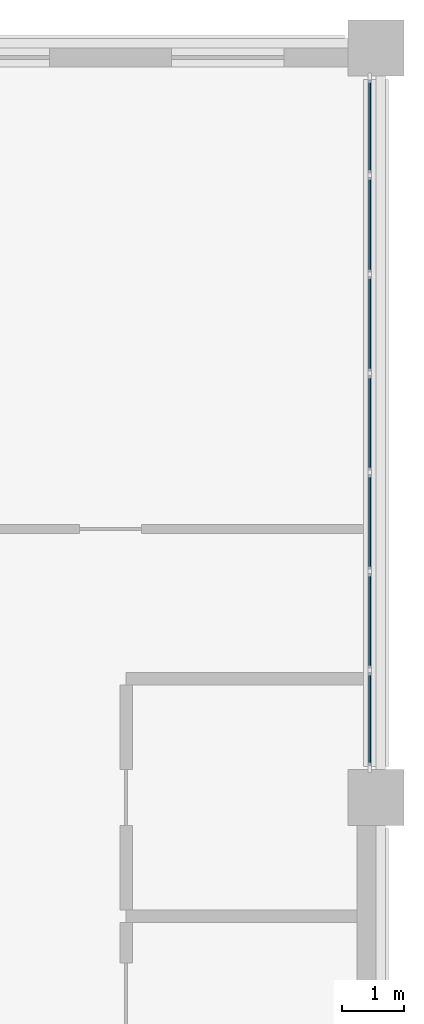
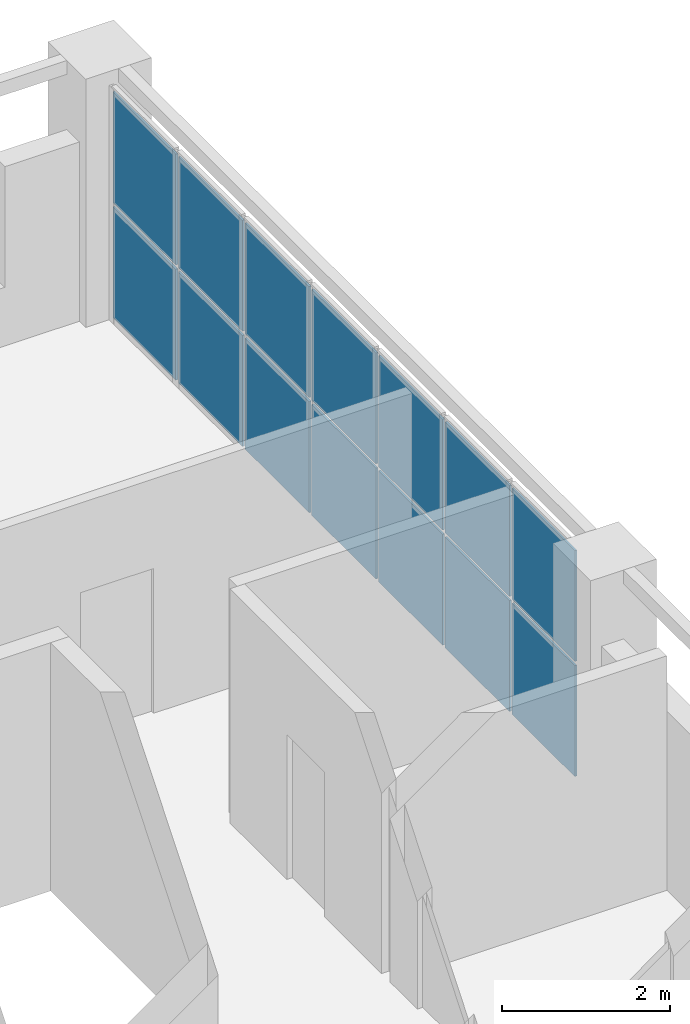
# One storey, part 85 of 94: 14 plates, 1 element without a shape of its own.
"""IFC4 building model written with IfcOpenShell, lengths in metres."""

from ifc_helpers import new_model, si_unit, direction, frame, origin, origin_2d, place, context, subcontext, project, spatial, rectangle, extrude, material, layer, layer_set, type_object, element, aggregate, save


model = new_model("IFC4")

# Units and contexts
model_context = context("Model", 3, precision=1e-05, world=origin(), true_north=direction((0.0, 1.0)))
body_context = subcontext(model_context, "Body", "Model", "MODEL_VIEW")
ifc_project = project(units=[si_unit("LENGTHUNIT", "METRE"), si_unit("AREAUNIT", "SQUARE_METRE"), si_unit("VOLUMEUNIT", "CUBIC_METRE"), si_unit("PLANEANGLEUNIT", "RADIAN"), si_unit("MASSUNIT", "GRAM", prefix="KILO")], contexts=[model_context])

# Site, building, storey
site_placement = place(None, origin())
site = spatial("IfcSite", under=ifc_project, at=site_placement, CompositionType="ELEMENT")
building_placement = place(site_placement, origin())
building = spatial("IfcBuilding", under=site, at=building_placement, Name="Lilac Gate Convention Centre", CompositionType="ELEMENT")
storey_placement = place(building_placement, frame((0.0, 0.0, 21.0)))
storey = spatial("IfcBuildingStorey", under=building, at=storey_placement, Name="L04", CompositionType="ELEMENT", Elevation=21.0)

# Curtain wall, plates
ifc_material_1 = material(Name="Aluminium framed double glazing", Category="aluminium")
ifc_layer_1 = layer(ifc_material_1, 0.199951171875)
ifc_layer_set_1 = layer_set([ifc_layer_1], Name="Aluminium framed double glazing")
curtain_wall_type = type_object("IfcCurtainWallType", Name="Unitised curtain wall 1500", PredefinedType="NOTDEFINED", material=ifc_layer_set_1)
curtain_wall_placement = place(storey_placement, origin())
curtain_wall = element("IfcCurtainWall", 1, at=curtain_wall_placement, inside=storey, type_object=curtain_wall_type, Name="Curtain wall E L04 2", PredefinedType="NOTDEFINED")
ifc_material_2 = material(Name="Double glazed unit low emissivity")
ifc_layer_2 = layer(ifc_material_2, 0.028076171875)
ifc_layer_set_2 = layer_set([ifc_layer_2], Name="Double glazed unit low emissivity")
plate_type_1 = type_object("IfcPlateType", Name="Curtain wall glass panel 28", PredefinedType="CURTAIN_PANEL", material=ifc_layer_set_2)
plate_1_placement = place(storey_placement, frame((89.89990234375, 235.2578125, 1.72998046875), z_axis=(0.0, 0.0, 1.0), x_axis=(0.0, 1.0, 0.0)))
plate_1 = element("IfcPlate", 2, at=plate_1_placement, type_object=plate_type_1, Name="CW panel 1.2", PredefinedType="CURTAIN_PANEL", context=body_context, shape_type="SweptSolid", body=[
    extrude(rectangle(XDim=1.495849609375, YDim=0.028076171875, at=origin_2d()), origin(), (0.0, 0.0, 1.0), 1.60986328125),
])
plate_2_placement = place(storey_placement, frame((89.89990234375, 236.82861328125, 1.72998046875), z_axis=(0.0, 0.0, 1.0), x_axis=(0.0, 1.0, 0.0)))
plate_2 = element("IfcPlate", 3, at=plate_2_placement, type_object=plate_type_1, Name="CW panel 2.2", PredefinedType="CURTAIN_PANEL", context=body_context, shape_type="SweptSolid", body=[
    extrude(rectangle(XDim=1.525634765625, YDim=0.028076171875, at=origin_2d()), origin(), (0.0, 0.0, 1.0), 1.60986328125),
])
plate_3_placement = place(storey_placement, frame((89.89990234375, 238.414306640625, 1.72998046875), z_axis=(0.0, 0.0, 1.0), x_axis=(0.0, 1.0, 0.0)))
plate_3 = element("IfcPlate", 4, at=plate_3_placement, type_object=plate_type_1, Name="CW panel 3.2", PredefinedType="CURTAIN_PANEL", context=body_context, shape_type="SweptSolid", body=[
    extrude(rectangle(XDim=1.525634765625, YDim=0.028076171875, at=origin_2d()), origin(), (0.0, 0.0, 1.0), 1.60986328125),
])
plate_4_placement = place(storey_placement, frame((89.89990234375, 240.0, 1.72998046875), z_axis=(0.0, 0.0, 1.0), x_axis=(0.0, 1.0, 0.0)))
plate_4 = element("IfcPlate", 5, at=plate_4_placement, type_object=plate_type_1, Name="CW panel 4.2", PredefinedType="CURTAIN_PANEL", context=body_context, shape_type="SweptSolid", body=[
    extrude(rectangle(XDim=1.525634765625, YDim=0.028076171875, at=origin_2d()), origin(), (0.0, 0.0, 1.0), 1.60986328125),
])
plate_5_placement = place(storey_placement, frame((89.89990234375, 241.585693359375, 1.72998046875), z_axis=(0.0, 0.0, 1.0), x_axis=(0.0, 1.0, 0.0)))
plate_5 = element("IfcPlate", 6, at=plate_5_placement, type_object=plate_type_1, Name="CW panel 5.2", PredefinedType="CURTAIN_PANEL", context=body_context, shape_type="SweptSolid", body=[
    extrude(rectangle(XDim=1.525634765625, YDim=0.028076171875, at=origin_2d()), origin(), (0.0, 0.0, 1.0), 1.60986328125),
])
plate_6_placement = place(storey_placement, frame((89.89990234375, 243.17138671875, 1.72998046875), z_axis=(0.0, 0.0, 1.0), x_axis=(0.0, 1.0, 0.0)))
plate_6 = element("IfcPlate", 7, at=plate_6_placement, type_object=plate_type_1, Name="CW panel 6.2", PredefinedType="CURTAIN_PANEL", context=body_context, shape_type="SweptSolid", body=[
    extrude(rectangle(XDim=1.525634765625, YDim=0.028076171875, at=origin_2d()), origin(), (0.0, 0.0, 1.0), 1.60986328125),
])
plate_7_placement = place(storey_placement, frame((89.89990234375, 244.7421875, 1.72998046875), z_axis=(0.0, 0.0, 1.0), x_axis=(0.0, 1.0, 0.0)))
plate_7 = element("IfcPlate", 8, at=plate_7_placement, type_object=plate_type_1, Name="CW panel 7.2", PredefinedType="CURTAIN_PANEL", context=body_context, shape_type="SweptSolid", body=[
    extrude(rectangle(XDim=1.495849609375, YDim=0.028076171875, at=origin_2d()), origin(), (0.0, 0.0, 1.0), 1.60986328125),
])
ifc_material_3 = material(Name="Insulated aluminium spandrel panel", Category="aluminium")
ifc_layer_3 = layer(ifc_material_3, 0.028076171875)
ifc_layer_set_3 = layer_set([ifc_layer_3], Name="Insulated aluminium spandrel panel")
plate_type_2 = type_object("IfcPlateType", Name="Curtain wall spandrel panel 28", PredefinedType="CURTAIN_PANEL", material=ifc_layer_set_3)
plate_8_placement = place(storey_placement, frame((89.89990234375, 235.2578125, 0.06005859375), z_axis=(0.0, 0.0, 1.0), x_axis=(0.0, 1.0, 0.0)))
plate_8 = element("IfcPlate", 9, at=plate_8_placement, type_object=plate_type_2, Name="CW spandrel 1.1", PredefinedType="CURTAIN_PANEL", context=body_context, shape_type="SweptSolid", body=[
    extrude(rectangle(XDim=1.495849609375, YDim=0.028076171875, at=origin_2d()), origin(), (0.0, 0.0, 1.0), 1.610107421875),
])
plate_9_placement = place(storey_placement, frame((89.89990234375, 236.82861328125, 0.06005859375), z_axis=(0.0, 0.0, 1.0), x_axis=(0.0, 1.0, 0.0)))
plate_9 = element("IfcPlate", 10, at=plate_9_placement, type_object=plate_type_2, Name="CW spandrel 2.1", PredefinedType="CURTAIN_PANEL", context=body_context, shape_type="SweptSolid", body=[
    extrude(rectangle(XDim=1.525634765625, YDim=0.028076171875, at=origin_2d()), origin(), (0.0, 0.0, 1.0), 1.610107421875),
])
plate_10_placement = place(storey_placement, frame((89.89990234375, 238.414306640625, 0.06005859375), z_axis=(0.0, 0.0, 1.0), x_axis=(0.0, 1.0, 0.0)))
plate_10 = element("IfcPlate", 11, at=plate_10_placement, type_object=plate_type_2, Name="CW spandrel 3.1", PredefinedType="CURTAIN_PANEL", context=body_context, shape_type="SweptSolid", body=[
    extrude(rectangle(XDim=1.525634765625, YDim=0.028076171875, at=origin_2d()), origin(), (0.0, 0.0, 1.0), 1.610107421875),
])
plate_11_placement = place(storey_placement, frame((89.89990234375, 240.0, 0.06005859375), z_axis=(0.0, 0.0, 1.0), x_axis=(0.0, 1.0, 0.0)))
plate_11 = element("IfcPlate", 12, at=plate_11_placement, type_object=plate_type_2, Name="CW spandrel 4.1", PredefinedType="CURTAIN_PANEL", context=body_context, shape_type="SweptSolid", body=[
    extrude(rectangle(XDim=1.525634765625, YDim=0.028076171875, at=origin_2d()), origin(), (0.0, 0.0, 1.0), 1.610107421875),
])
plate_12_placement = place(storey_placement, frame((89.89990234375, 241.585693359375, 0.06005859375), z_axis=(0.0, 0.0, 1.0), x_axis=(0.0, 1.0, 0.0)))
plate_12 = element("IfcPlate", 13, at=plate_12_placement, type_object=plate_type_2, Name="CW spandrel 5.1", PredefinedType="CURTAIN_PANEL", context=body_context, shape_type="SweptSolid", body=[
    extrude(rectangle(XDim=1.525634765625, YDim=0.028076171875, at=origin_2d()), origin(), (0.0, 0.0, 1.0), 1.610107421875),
])
plate_13_placement = place(storey_placement, frame((89.89990234375, 243.17138671875, 0.06005859375), z_axis=(0.0, 0.0, 1.0), x_axis=(0.0, 1.0, 0.0)))
plate_13 = element("IfcPlate", 14, at=plate_13_placement, type_object=plate_type_2, Name="CW spandrel 6.1", PredefinedType="CURTAIN_PANEL", context=body_context, shape_type="SweptSolid", body=[
    extrude(rectangle(XDim=1.525634765625, YDim=0.028076171875, at=origin_2d()), origin(), (0.0, 0.0, 1.0), 1.610107421875),
])
plate_14_placement = place(storey_placement, frame((89.89990234375, 244.7421875, 0.06005859375), z_axis=(0.0, 0.0, 1.0), x_axis=(0.0, 1.0, 0.0)))
plate_14 = element("IfcPlate", 15, at=plate_14_placement, type_object=plate_type_2, Name="CW spandrel 7.1", PredefinedType="CURTAIN_PANEL", context=body_context, shape_type="SweptSolid", body=[
    extrude(rectangle(XDim=1.495849609375, YDim=0.028076171875, at=origin_2d()), origin(), (0.0, 0.0, 1.0), 1.610107421875),
])
aggregate(curtain_wall, [plate_8, plate_1, plate_9, plate_2, plate_10, plate_3, plate_11, plate_4, plate_12, plate_5, plate_13, plate_6, plate_14, plate_7])

save(model, "model.ifc")
